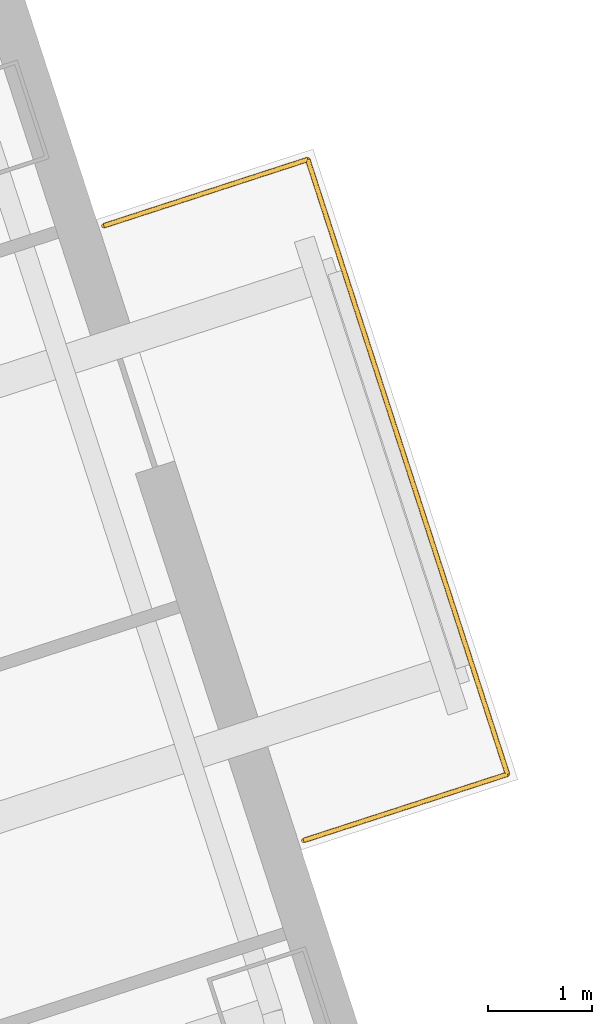
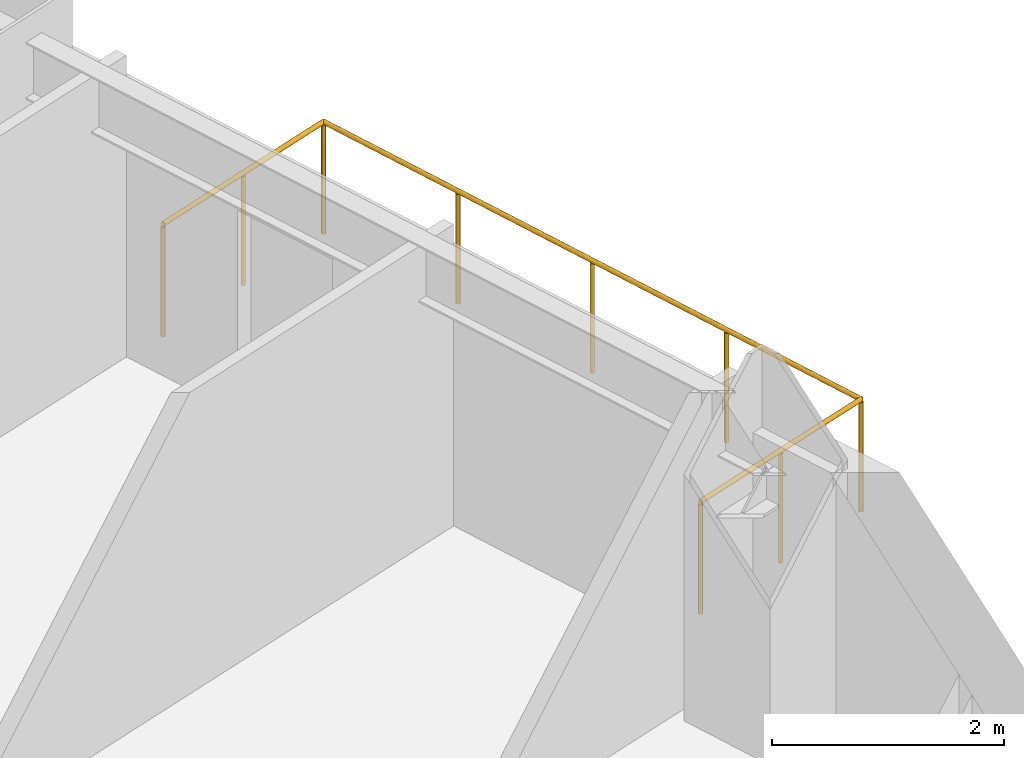
# One storey, part 15 of 15: 1 railing.
"""IFC4 building model written with IfcOpenShell, lengths in metres."""

import ifcopenshell
import ifcopenshell.guid

model = None  # the IFC model being written
_history = None  # IfcOwnerHistory: only IFC2X3 demands one
_inside = {}  # id of a spatial element -> (the spatial element, [elements in it])
_under = {}  # id of a project, library or spatial element -> (it, [spatial elements below it])
_declared = {}  # id of a project -> (the project, [libraries it declares])
_typed = {}  # id of a type object -> (the type object, [elements of that type])
_made_of = {}  # id of a material, layer set ... -> (it, [elements and type objects made of it])


def new_model(schema):
    """Start an empty IFC model of exactly this schema.

    Asked for "IFC4X3", IfcOpenShell would pick the latest addendum, in which some entities
    have other attributes; the version numbers below select the first issue.
    IFC2X3 requires an IfcOwnerHistory on every rooted entity: one is made here for all.
    """
    global model, _history
    if schema == "IFC4X3":
        model = ifcopenshell.file(schema_version=(4, 3, 0, 0))
    else:
        model = ifcopenshell.file(schema=schema)
    _inside.clear()
    _under.clear()
    _declared.clear()
    _typed.clear()
    _made_of.clear()
    _history = None
    if model.schema == "IFC2X3":
        org = make("IfcOrganization", Name="unknown")
        user = make(
            "IfcPersonAndOrganization",
            ThePerson=make("IfcPerson", FamilyName="unknown"),
            TheOrganization=org,
        )
        app = make(
            "IfcApplication",
            ApplicationDeveloper=org,
            Version="unknown",
            ApplicationFullName="unknown",
            ApplicationIdentifier="unknown",
        )
        _history = make(
            "IfcOwnerHistory",
            OwningUser=user,
            OwningApplication=app,
            ChangeAction="ADDED",
            CreationDate=0,
        )
    return model


def make(cls, **values):
    """One entity of the class cls with the attributes given. An attribute that is None is left unset."""
    return model.create_entity(
        cls, **{name: value for name, value in values.items() if value is not None}
    )


def rooted(cls, **values):
    """An entity with a GlobalId (a new one), such as an element, a storey or a relation."""
    return make(cls, GlobalId=ifcopenshell.guid.new(), OwnerHistory=_history, **values)


def si_unit(unit_type, name, prefix=None):
    """IfcSIUnit, for example si_unit("LENGTHUNIT", "METRE", prefix="MILLI")."""
    return make("IfcSIUnit", UnitType=unit_type, Prefix=prefix, Name=name)


def assignment(units):
    """IfcUnitAssignment: the units of a project."""
    return None if units is None else make("IfcUnitAssignment", Units=units)


def point(xyz):
    """IfcCartesianPoint."""
    return None if xyz is None else make("IfcCartesianPoint", Coordinates=xyz)


def direction(xyz):
    """IfcDirection."""
    return None if xyz is None else make("IfcDirection", DirectionRatios=xyz)


def frame(location, z_axis=None, x_axis=None):
    """IfcAxis2Placement3D, a coordinate frame: its origin and axes. An axis left out is left unset."""
    return make(
        "IfcAxis2Placement3D",
        Location=point(location),
        Axis=direction(z_axis),
        RefDirection=direction(x_axis),
    )


def frame_2d(location, x_axis=None):
    """IfcAxis2Placement2D, a coordinate frame in the plane: its origin and x axis."""
    return make(
        "IfcAxis2Placement2D", Location=point(location), RefDirection=direction(x_axis)
    )


def origin():
    """The frame at (0, 0, 0) with its axes left unset."""
    return frame((0.0, 0.0, 0.0))


def origin_2d():
    """The frame at (0, 0) in the plane with its x axis left unset."""
    return frame_2d((0.0, 0.0))


def place(relative_to, where):
    """IfcLocalPlacement: puts the frame where relative to a parent placement (None: the world)."""
    return make(
        "IfcLocalPlacement", PlacementRelTo=relative_to, RelativePlacement=where
    )


def context(
    kind, dimensions, precision=None, world=None, true_north=None, identifier=None
):
    """IfcGeometricRepresentationContext, for example the 3D "Model" context."""
    return make(
        "IfcGeometricRepresentationContext",
        ContextIdentifier=identifier,
        ContextType=kind,
        CoordinateSpaceDimension=dimensions,
        Precision=precision,
        WorldCoordinateSystem=world,
        TrueNorth=true_north,
    )


def subcontext(parent, identifier, kind, view, scale=None):
    """IfcGeometricRepresentationSubContext, for example "Body" below "Model"."""
    return make(
        "IfcGeometricRepresentationSubContext",
        ContextIdentifier=identifier,
        ContextType=kind,
        ParentContext=parent,
        TargetScale=scale,
        TargetView=view,
    )


def project(units=None, contexts=None):
    """IfcProject with its units and contexts."""
    return rooted(
        "IfcProject",
        Name="project",
        RepresentationContexts=contexts,
        UnitsInContext=assignment(units),
    )


def spatial(cls, under=None, at=None, **own):
    """A site, building, storey or space (cls), placed at a placement, below another one or the project."""
    s = rooted(cls, ObjectPlacement=at, **own)
    if under is not None:
        _under.setdefault(under.id(), (under, []))[1].append(s)
    return s


def profile(cls, at=None, kind="AREA", **sizes):
    """A parametric profile (cls). Its sizes go by their IFC names, for example OverallWidth=200.0."""
    return make(cls, ProfileType=kind, Position=at, **sizes)


def circle(**sizes):
    """IfcCircleProfileDef."""
    return profile("IfcCircleProfileDef", **sizes)


def extrude(swept, where, along, depth):
    """IfcExtrudedAreaSolid: the profile swept, set in the frame where, extruded along a direction by depth."""
    return make(
        "IfcExtrudedAreaSolid",
        SweptArea=swept,
        Position=where,
        ExtrudedDirection=direction(along),
        Depth=depth,
    )


def shape(context_of_items, identifier, shape_type, items):
    """IfcShapeRepresentation: the items that make up one representation, for example the "Body"."""
    return make(
        "IfcShapeRepresentation",
        ContextOfItems=context_of_items,
        RepresentationIdentifier=identifier,
        RepresentationType=shape_type,
        Items=items,
    )


def material(Name=None, Category=None):
    """IfcMaterial."""
    return make("IfcMaterial", Name=Name, Category=Category)


def made_of(thing, what):
    """Note that an element or type object is made of a material, layer set ...; save() writes the relation."""
    if what is not None:
        _made_of.setdefault(what.id(), (what, []))[1].append(thing)
    return thing


def type_object(cls, material=None, **own):
    """A type object (cls), such as IfcWallType, which elements share."""
    return made_of(rooted(cls, **own), material)


def element(
    cls,
    number,
    at=None,
    inside=None,
    cuts=None,
    type_object=None,
    material=None,
    context=None,
    identifier="Body",
    shape_type=None,
    held_by="IfcProductDefinitionShape",
    body=None,
    shapes=None,
    **own,
):
    """One element of the class cls, such as IfcWall. Its Tag is "e" and its number.

    at: its placement. inside: the storey or other place that contains it. cuts: it is an
    opening in that element (IfcRelVoidsElement). A single representation is given by context,
    identifier, shape_type and body (its items); several are given by shapes. held_by: the class
    of the entity that holds the representations. save() writes the other relations.
    """
    e = rooted(cls, Tag="e%d" % number, ObjectPlacement=at, **own)
    if body is not None:
        shapes = [shape(context, identifier, shape_type, body)]
    if shapes is not None:
        e.Representation = make(held_by, Representations=shapes)
    if inside is not None:
        _inside.setdefault(inside.id(), (inside, []))[1].append(e)
    if cuts is not None:
        rooted(
            "IfcRelVoidsElement", RelatingBuildingElement=cuts, RelatedOpeningElement=e
        )
    if type_object is not None:
        _typed.setdefault(type_object.id(), (type_object, []))[1].append(e)
    return made_of(e, material)


def aggregate(whole, parts):
    """IfcRelAggregates: a whole, such as a stair, and the parts it consists of."""
    return rooted("IfcRelAggregates", RelatingObject=whole, RelatedObjects=parts)


def save(model, path):
    """Write the relations noted so far, then the file.

    IfcRelAggregates (storeys below a building ...), IfcRelContainedInSpatialStructure (elements
    in a storey), IfcRelDefinesByType, IfcRelAssociatesMaterial and IfcRelDeclares: one each for
    every whole, place, type object, material and project.
    """
    for whole, parts in _under.values():
        aggregate(whole, parts)
    for where, things in _inside.values():
        rooted(
            "IfcRelContainedInSpatialStructure",
            RelatedElements=things,
            RelatingStructure=where,
        )
    for kind, things in _typed.values():
        rooted("IfcRelDefinesByType", RelatedObjects=things, RelatingType=kind)
    for what, things in _made_of.values():
        rooted("IfcRelAssociatesMaterial", RelatedObjects=things, RelatingMaterial=what)
    for by, libraries in _declared.values():
        rooted("IfcRelDeclares", RelatingContext=by, RelatedDefinitions=libraries)
    model.write(path)


model = new_model("IFC4")

# Units and contexts
model_context = context("Model", 3, precision=1e-05, world=origin(), true_north=direction((0.0, 1.0)))
body_context = subcontext(model_context, "Body", "Model", "MODEL_VIEW")
ifc_project = project(units=[si_unit("LENGTHUNIT", "METRE"), si_unit("AREAUNIT", "SQUARE_METRE"), si_unit("VOLUMEUNIT", "CUBIC_METRE"), si_unit("PLANEANGLEUNIT", "RADIAN"), si_unit("MASSUNIT", "GRAM", prefix="KILO")], contexts=[model_context])

# Site, building, storey
site_placement = place(None, origin())
site = spatial("IfcSite", under=ifc_project, at=site_placement, CompositionType="ELEMENT")
building_placement = place(site_placement, origin())
building = spatial("IfcBuilding", under=site, at=building_placement, Name="Qiaolan Cultural Towers", CompositionType="ELEMENT")
storey_placement = place(building_placement, frame((0.0, 0.0, 60.949951171875)))
storey = spatial("IfcBuildingStorey", under=building, at=storey_placement, Name="L14", CompositionType="ELEMENT", Elevation=60.949951171875)

# Railing
ifc_material = material(Name="Laminated SentryGlas & Stainless Steel S31608 Balustrade", Category="steel")
railing_type = type_object("IfcRailingType", Name="GRD-TERR-1200", PredefinedType="BALUSTRADE", material=ifc_material)
railing_placement = place(storey_placement, frame((110.631591796875, 32.796630859375, 0.0)))
element("IfcRailing", 1, at=railing_placement, inside=storey, type_object=railing_type, Name="L14 T2 Tree Balcony Guardrail E", PredefinedType="BALUSTRADE", context=body_context, shape_type="SweptSolid", body=[
    extrude(circle(Radius=0.02392578125, at=origin_2d()), frame((0.0, 0.0, 1.17578125), z_axis=(0.951061799618, 0.309000733507, 0.0), x_axis=(-0.309000733507, 0.951061799618, 0.0)), (0.0, 0.0, 1.0), 2.070068359375),
    extrude(circle(Radius=0.02392578125, at=origin_2d()), frame((1.96875, 0.6396484375, 1.17578125), z_axis=(-0.30901175762, 0.951058217804, 0.0), x_axis=(-0.951058217804, -0.30901175762, 0.0)), (0.0, 0.0, 1.0), 6.239990234375),
    extrude(circle(Radius=0.02392578125, at=origin_2d()), frame((0.04052734375, 6.57421875, 1.17578125), z_axis=(-0.951061799618, -0.309000733507, 0.0), x_axis=(0.309000733507, -0.951061799618, 0.0)), (0.0, 0.0, 1.0), 2.070068359375),
    extrude(circle(Radius=0.02099609375, at=origin_2d()), origin(), (0.0, 0.0, 1.0), 1.15185546875),
    extrude(circle(Radius=0.02099609375, at=origin_2d()), frame((0.984375, 0.31982421875, 0.0)), (0.0, 0.0, 1.0), 1.15185546875),
    extrude(circle(Radius=0.02099609375, at=origin_2d()), frame((1.96875, 0.6396484375, 0.0)), (0.0, 0.0, 1.0), 1.15185546875),
    extrude(circle(Radius=0.02099609375, at=origin_2d()), frame((1.48681640625, 2.123291015625, 0.0)), (0.0, 0.0, 1.0), 1.15185546875),
    extrude(circle(Radius=0.02099609375, at=origin_2d()), frame((1.004638671875, 3.60693359375, 0.0)), (0.0, 0.0, 1.0), 1.15185546875),
    extrude(circle(Radius=0.02099609375, at=origin_2d()), frame((0.5224609375, 5.090576171875, 0.0)), (0.0, 0.0, 1.0), 1.15185546875),
    extrude(circle(Radius=0.02099609375, at=origin_2d()), frame((0.04052734375, 6.57421875, 0.0)), (0.0, 0.0, 1.0), 1.15185546875),
    extrude(circle(Radius=0.02099609375, at=origin_2d()), frame((-0.94384765625, 6.25439453125, 0.0)), (0.0, 0.0, 1.0), 1.15185546875),
    extrude(circle(Radius=0.02099609375, at=origin_2d()), frame((-1.92822265625, 5.9345703125, 0.0)), (0.0, 0.0, 1.0), 1.15185546875),
])

save(model, "model.ifc")
